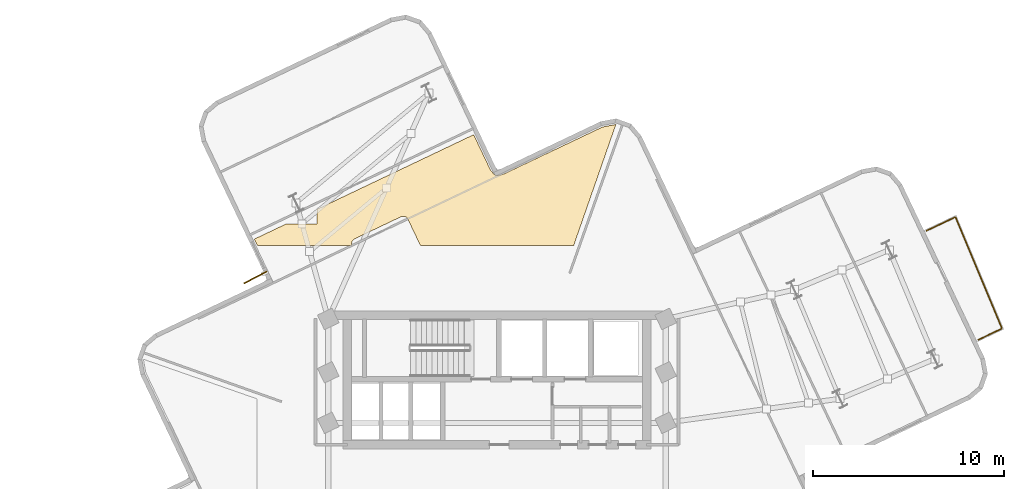
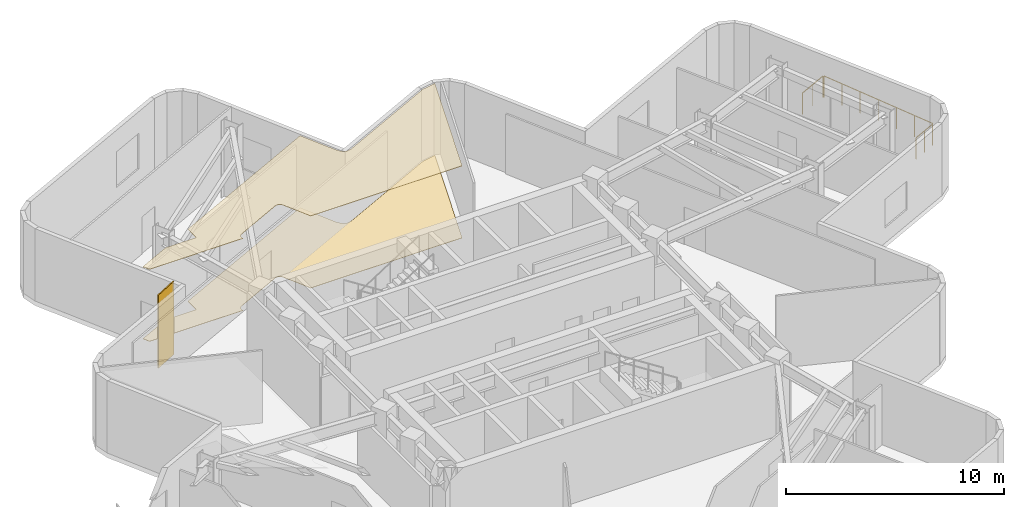
# One storey, part 7 of 7: 3 railings, 2 coverings, 1 shading device.
"""IFC4 building model written with IfcOpenShell, lengths in metres."""

from ifc_helpers import new_model, si_unit, direction, frame, origin, origin_2d, place, context, subcontext, project, spatial, polyline, rectangle, circle, outline, extrude, material, layer, layer_set, type_object, element, save


model = new_model("IFC4")

# Units and contexts
model_context = context("Model", 3, precision=1e-05, world=origin(), true_north=direction((0.0, 1.0)))
body_context = subcontext(model_context, "Body", "Model", "MODEL_VIEW")
ifc_project = project(units=[si_unit("LENGTHUNIT", "METRE"), si_unit("AREAUNIT", "SQUARE_METRE"), si_unit("VOLUMEUNIT", "CUBIC_METRE"), si_unit("PLANEANGLEUNIT", "RADIAN"), si_unit("MASSUNIT", "GRAM", prefix="KILO")], contexts=[model_context])

# Site, building, storey
site_placement = place(None, origin())
site = spatial("IfcSite", under=ifc_project, at=site_placement, CompositionType="ELEMENT")
building_placement = place(site_placement, origin())
building = spatial("IfcBuilding", under=site, at=building_placement, Name="Solmarez Civic Tower", CompositionType="ELEMENT")
storey_placement = place(building_placement, frame((0.0, 0.0, 188.280029296875)))
storey = spatial("IfcBuildingStorey", under=building, at=storey_placement, Name="L50", CompositionType="ELEMENT", Elevation=188.280029296875)

# Coverings
ifc_material_1 = material(Name="Perforated Mineral-Fibre Acoustic Ceiling")
ifc_layer_1 = layer(ifc_material_1, 0.02490234375)
ifc_layer_set_1 = layer_set([ifc_layer_1], Name="Perforated Mineral-Fibre Acoustic Ceiling")
covering_type_1 = type_object("IfcCoveringType", Name="COV-CEIL-ACOUSTIC", PredefinedType="CEILING", material=ifc_layer_set_1)
covering_1_placement = place(storey_placement, frame((0.0, 0.0, 4.034912109375)))
element("IfcCovering", 1, at=covering_1_placement, inside=storey, type_object=covering_type_1, Name="L50 Suspended Acoustic Ceiling 2", PredefinedType="CEILING", context=body_context, shape_type="SweptSolid", body=[
    extrude(outline(polyline([(-12.72607421875, 12.537109375), (-12.56494140625, 12.199951171875), (-7.60205078125, 12.199951171875), (-7.60595703125, 12.208984375), (-7.611083984375, 12.22607421875), (-7.615966796875, 12.243896484375), (-7.616943359375, 12.2490234375), (-7.617919921875, 12.25390625), (-7.62109375, 12.27294921875), (-7.6220703125, 12.281982421875), (-7.623046875, 12.303955078125), (-7.6220703125, 12.326904296875), (-7.62109375, 12.3330078125), (-7.62109375, 12.339111328125), (-7.616943359375, 12.362060546875), (-7.611083984375, 12.384033203125), (-7.60302734375, 12.405029296875), (-7.60009765625, 12.412109375), (-7.590087890625, 12.43408203125), (-7.577880859375, 12.4541015625), (-7.56298828125, 12.472900390625), (-7.556884765625, 12.47998046875), (-7.5458984375, 12.492919921875), (-7.5390625, 12.5), (-7.52001953125, 12.51611328125), (-7.5, 12.531005859375), (-7.491943359375, 12.535888671875), (-7.469970703125, 12.548095703125), (-5.032958984375, 13.708984375), (-5.02001953125, 13.714111328125), (-5.014892578125, 13.716064453125), (-4.99609375, 13.722900390625), (-4.97607421875, 13.72802734375), (-4.966064453125, 13.72998046875), (-4.947021484375, 13.73291015625), (-4.93798828125, 13.73388671875), (-4.9150390625, 13.735107421875), (-4.89208984375, 13.73388671875), (-4.882080078125, 13.73291015625), (-4.85888671875, 13.72900390625), (-4.8359375, 13.722900390625), (-4.81494140625, 13.715087890625), (-4.80810546875, 13.7119140625), (-4.785888671875, 13.701904296875), (-4.76611328125, 13.68994140625), (-4.7470703125, 13.675048828125), (-4.740966796875, 13.669921875), (-4.73095703125, 13.662109375), (-4.716064453125, 13.64697265625), (-4.702880859375, 13.631103515625), (-4.697021484375, 13.623046875), (-4.68603515625, 13.60693359375), (-4.677001953125, 13.590087890625), (-4.6708984375, 13.577880859375), (-4.014892578125, 12.199951171875), (4.02197265625, 12.199951171875), (6.23388671875, 18.54296875), (6.22802734375, 18.544921875), (5.530029296875, 18.416015625), (0.3310546875, 15.93994140625), (0.322998046875, 15.93701171875), (0.31591796875, 15.93408203125), (0.299072265625, 15.927001953125), (0.29296875, 15.925048828125), (0.282958984375, 15.922119140625), (0.27587890625, 15.919921875), (0.256103515625, 15.916015625), (0.0869140625, 15.885009765625), (0.073974609375, 15.883056640625), (0.06591796875, 15.882080078125), (0.0390625, 15.8798828125), (0.02392578125, 15.8798828125), (-0.007080078125, 15.882080078125), (-0.013916015625, 15.883056640625), (-0.035888671875, 15.887939453125), (-0.0439453125, 15.889892578125), (-0.06103515625, 15.89501953125), (-0.077880859375, 15.90087890625), (-0.0849609375, 15.904052734375), (-0.092041015625, 15.906982421875), (-0.110107421875, 15.916015625), (-0.126953125, 15.926025390625), (-0.14404296875, 15.93603515625), (-0.158935546875, 15.947998046875), (-0.174072265625, 15.9609375), (-0.178955078125, 15.966064453125), (-0.18505859375, 15.971923828125), (-0.197021484375, 15.986083984375), (-0.30810546875, 16.116943359375), (-0.31201171875, 16.1220703125), (-0.31591796875, 16.126953125), (-0.326904296875, 16.14208984375), (-0.3349609375, 16.154052734375), (-0.35107421875, 16.181884765625), (-1.221923828125, 18.013916015625), (-9.43310546875, 14.10498046875), (-9.43310546875, 13.3330078125), (-11.053955078125, 13.3330078125), (-12.72607421875, 12.537109375)])), origin(), (0.0, 0.0, 1.0), 0.025146484375),
])
ifc_material_2 = material(Name="Polished Tropical Stone Terrazzo Flooring", Category="masonry")
ifc_layer_2 = layer(ifc_material_2, 0.02001953125)
ifc_layer_set_2 = layer_set([ifc_layer_2], Name="Polished Tropical Stone Terrazzo Flooring")
covering_type_2 = type_object("IfcCoveringType", Name="COV-FLOOR-TERRAZZO", PredefinedType="FLOORING", material=ifc_layer_set_2)
covering_2_placement = place(storey_placement, origin())
element("IfcCovering", 2, at=covering_2_placement, inside=storey, type_object=covering_type_2, Name="L50 Terrazzo Floor Finish 2", PredefinedType="FLOORING", context=body_context, shape_type="SweptSolid", body=[
    extrude(outline(polyline([(-12.72607421875, 12.537109375), (-12.56494140625, 12.199951171875), (-7.60205078125, 12.199951171875), (-7.60595703125, 12.208984375), (-7.611083984375, 12.22607421875), (-7.615966796875, 12.243896484375), (-7.616943359375, 12.2490234375), (-7.617919921875, 12.25390625), (-7.62109375, 12.27294921875), (-7.6220703125, 12.281982421875), (-7.623046875, 12.303955078125), (-7.6220703125, 12.326904296875), (-7.62109375, 12.3330078125), (-7.62109375, 12.339111328125), (-7.616943359375, 12.362060546875), (-7.611083984375, 12.384033203125), (-7.60302734375, 12.405029296875), (-7.60009765625, 12.412109375), (-7.590087890625, 12.43408203125), (-7.577880859375, 12.4541015625), (-7.56298828125, 12.472900390625), (-7.556884765625, 12.47998046875), (-7.5458984375, 12.492919921875), (-7.5390625, 12.5), (-7.52001953125, 12.51611328125), (-7.5, 12.531005859375), (-7.491943359375, 12.535888671875), (-7.469970703125, 12.548095703125), (-5.032958984375, 13.708984375), (-5.02001953125, 13.714111328125), (-5.014892578125, 13.716064453125), (-4.99609375, 13.722900390625), (-4.97607421875, 13.72802734375), (-4.966064453125, 13.72998046875), (-4.947021484375, 13.73291015625), (-4.93798828125, 13.73388671875), (-4.9150390625, 13.735107421875), (-4.89208984375, 13.73388671875), (-4.882080078125, 13.73291015625), (-4.85888671875, 13.72900390625), (-4.8359375, 13.722900390625), (-4.81494140625, 13.715087890625), (-4.80810546875, 13.7119140625), (-4.785888671875, 13.701904296875), (-4.76611328125, 13.68994140625), (-4.7470703125, 13.675048828125), (-4.740966796875, 13.669921875), (-4.73095703125, 13.662109375), (-4.716064453125, 13.64697265625), (-4.702880859375, 13.631103515625), (-4.697021484375, 13.623046875), (-4.68603515625, 13.60693359375), (-4.677001953125, 13.590087890625), (-4.6708984375, 13.577880859375), (-4.014892578125, 12.199951171875), (4.02197265625, 12.199951171875), (6.23388671875, 18.54296875), (6.22802734375, 18.544921875), (5.530029296875, 18.416015625), (0.3310546875, 15.93994140625), (0.322998046875, 15.93701171875), (0.31591796875, 15.93408203125), (0.299072265625, 15.927001953125), (0.29296875, 15.925048828125), (0.282958984375, 15.922119140625), (0.27587890625, 15.919921875), (0.256103515625, 15.916015625), (0.0869140625, 15.885009765625), (0.073974609375, 15.883056640625), (0.06591796875, 15.882080078125), (0.0390625, 15.8798828125), (0.02392578125, 15.8798828125), (-0.007080078125, 15.882080078125), (-0.013916015625, 15.883056640625), (-0.035888671875, 15.887939453125), (-0.0439453125, 15.889892578125), (-0.06103515625, 15.89501953125), (-0.077880859375, 15.90087890625), (-0.0849609375, 15.904052734375), (-0.092041015625, 15.906982421875), (-0.110107421875, 15.916015625), (-0.126953125, 15.926025390625), (-0.14404296875, 15.93603515625), (-0.158935546875, 15.947998046875), (-0.174072265625, 15.9609375), (-0.178955078125, 15.966064453125), (-0.18505859375, 15.971923828125), (-0.197021484375, 15.986083984375), (-0.30810546875, 16.116943359375), (-0.31201171875, 16.1220703125), (-0.31591796875, 16.126953125), (-0.326904296875, 16.14208984375), (-0.3349609375, 16.154052734375), (-0.35107421875, 16.181884765625), (-1.221923828125, 18.013916015625), (-9.43310546875, 14.10498046875), (-9.43310546875, 13.3330078125), (-11.053955078125, 13.3330078125), (-12.72607421875, 12.537109375)])), origin(), (0.0, 0.0, 1.0), 0.02001953125),
])

# Shading device
ifc_material_3 = material(Name="Bronze Anodised Aluminium EN AW-6063 T6", Category="aluminium")
ifc_layer_3 = layer(ifc_material_3, 0.06005859375)
ifc_layer_set_3 = layer_set([ifc_layer_3], Name="Bronze Anodised Aluminium EN AW-6063 T6")
shading_device_type = type_object("IfcShadingDeviceType", Name="FIN-BRONZE-Z34", PredefinedType="USERDEFINED", material=ifc_layer_set_3)
shading_device_placement = place(storey_placement, frame((-12.669921875, 10.528076171875, -0.0400390625), z_axis=(0.0, 0.0, 1.0), x_axis=(-0.884881970101, -0.465815305664, 0.0)))
element("IfcShadingDevice", 3, at=shading_device_placement, inside=storey, type_object=shading_device_type, Name="L50 Anodised Bronze Solar Fin FIN-L50-04", ObjectType="FIN", PredefinedType="USERDEFINED", context=body_context, shape_type="SweptSolid", body=[
    extrude(rectangle(XDim=1.35009765625, YDim=0.06005859375, at=origin_2d()), origin(), (0.0, 0.0, 1.0), 4.10009765625),
])

# Railings
ifc_material_4 = material(Name="Laminated Structural Safety Glass Pool Balustrade", Category="glass")
railing_type = type_object("IfcRailingType", Name="GUARD-POOL-1220", PredefinedType="BALUSTRADE", material=ifc_material_4)
railing_1_placement = place(storey_placement, frame((25.25, 7.257080078125, 0.0)))
element("IfcRailing", 4, at=railing_1_placement, inside=storey, type_object=railing_type, Name="L50 Safety Balustrade GRD-SKYPOOL-L50-1", PredefinedType="BALUSTRADE", context=body_context, shape_type="SweptSolid", body=[
    extrude(circle(Radius=0.02392578125, at=origin_2d()), frame((0.0, 0.0, 1.19580078125), z_axis=(0.902944829936, 0.429756482316, 0.0), x_axis=(-0.429756482316, 0.902944829936, 0.0)), (0.0, 0.0, 1.0), 1.337890625),
    extrude(circle(Radius=0.02099609375, at=origin_2d()), origin(), (0.0, 0.0, 1.0), 1.171875),
    extrude(circle(Radius=0.02099609375, at=origin_2d()), frame((0.60400390625, 0.28759765625, 0.0)), (0.0, 0.0, 1.0), 1.171875),
    extrude(circle(Radius=0.02099609375, at=origin_2d()), frame((1.2080078125, 0.574951171875, 0.0)), (0.0, 0.0, 1.0), 1.171875),
])
railing_2_placement = place(storey_placement, frame((26.47607421875, 7.87890625, 0.0)))
element("IfcRailing", 5, at=railing_2_placement, inside=storey, type_object=railing_type, Name="L50 Safety Balustrade GRD-SKYPOOL-L50-2", PredefinedType="BALUSTRADE", context=body_context, shape_type="SweptSolid", body=[
    extrude(circle(Radius=0.02392578125, at=origin_2d()), frame((0.0, 0.0, 1.19580078125), z_axis=(-0.385632583117, 0.922652432305, 0.0), x_axis=(-0.922652432305, -0.385632583117, 0.0)), (0.0, 0.0, 1.0), 6.27001953125),
    extrude(circle(Radius=0.02099609375, at=origin_2d()), origin(), (0.0, 0.0, 1.0), 1.171875),
    extrude(circle(Radius=0.02099609375, at=origin_2d()), frame((-0.403076171875, 0.964111328125, 0.0)), (0.0, 0.0, 1.0), 1.171875),
    extrude(circle(Radius=0.02099609375, at=origin_2d()), frame((-0.805908203125, 1.928466796875, 0.0)), (0.0, 0.0, 1.0), 1.171875),
    extrude(circle(Radius=0.02099609375, at=origin_2d()), frame((-1.208984375, 2.892578125, 0.0)), (0.0, 0.0, 1.0), 1.171875),
    extrude(circle(Radius=0.02099609375, at=origin_2d()), frame((-1.612060546875, 3.856689453125, 0.0)), (0.0, 0.0, 1.0), 1.171875),
    extrude(circle(Radius=0.02099609375, at=origin_2d()), frame((-2.014892578125, 4.821044921875, 0.0)), (0.0, 0.0, 1.0), 1.171875),
    extrude(circle(Radius=0.02099609375, at=origin_2d()), frame((-2.41796875, 5.78515625, 0.0)), (0.0, 0.0, 1.0), 1.171875),
])
railing_3_placement = place(storey_placement, frame((24.011962890625, 13.680908203125, 0.0)))
element("IfcRailing", 6, at=railing_3_placement, inside=storey, type_object=railing_type, Name="L50 Safety Balustrade GRD-SKYPOOL-L50-3", PredefinedType="BALUSTRADE", context=body_context, shape_type="SweptSolid", body=[
    extrude(circle(Radius=0.02392578125, at=origin_2d()), frame((0.0, 0.0, 1.19580078125), z_axis=(-0.902819330148, -0.430020065939, 0.0), x_axis=(0.430020065939, -0.902819330148, 0.0)), (0.0, 0.0, 1.0), 1.6435546875),
    extrude(circle(Radius=0.02099609375, at=origin_2d()), origin(), (0.0, 0.0, 1.0), 1.171875),
    extrude(circle(Radius=0.02099609375, at=origin_2d()), frame((-0.741943359375, -0.353515625, 0.0)), (0.0, 0.0, 1.0), 1.171875),
    extrude(circle(Radius=0.02099609375, at=origin_2d()), frame((-1.48388671875, -0.706787109375, 0.0)), (0.0, 0.0, 1.0), 1.171875),
])

save(model, "model.ifc")
